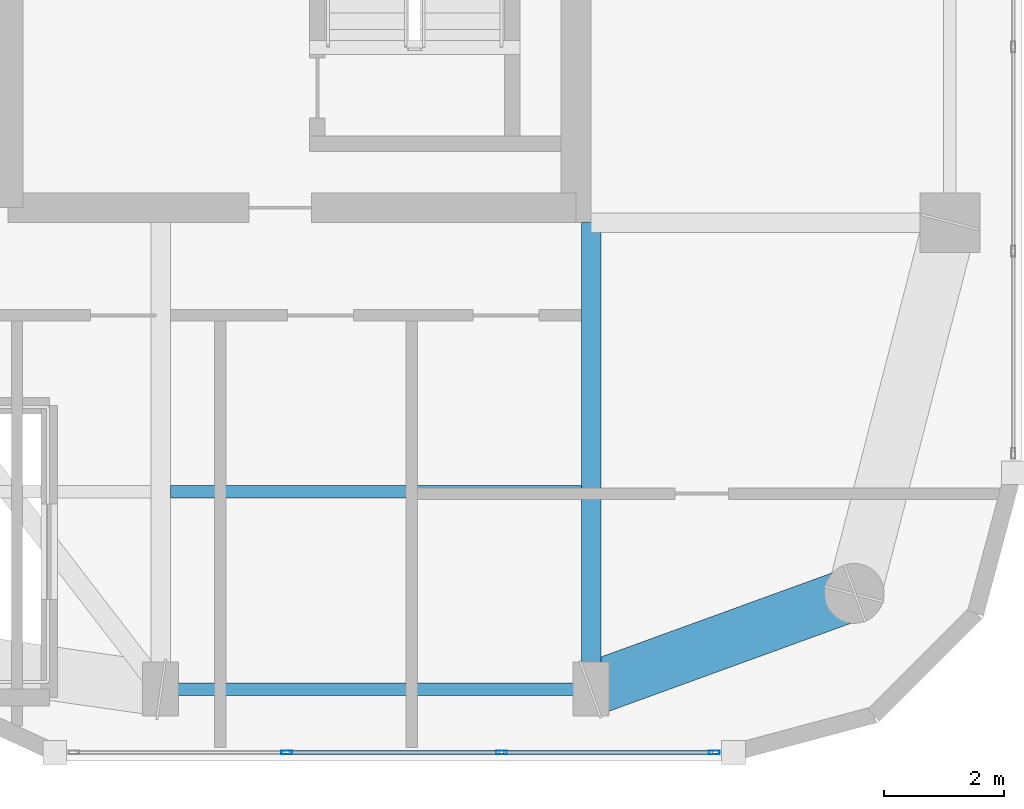
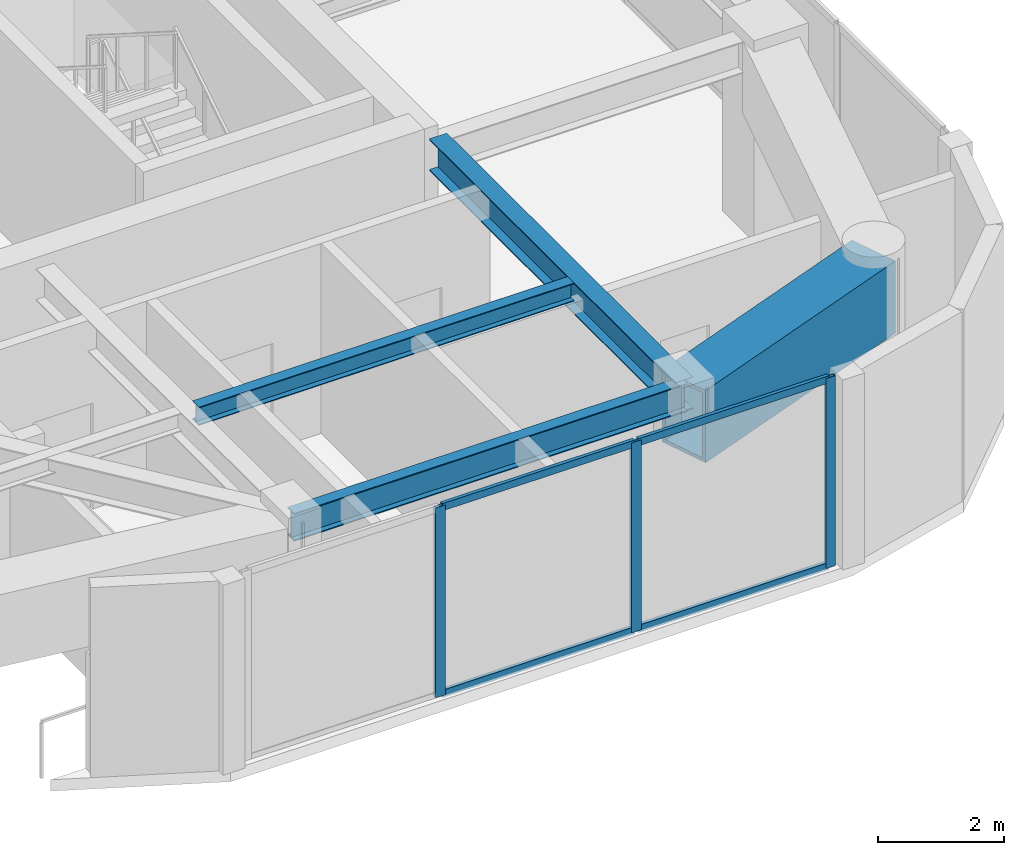
# One storey, part 4 of 16: 7 members, 4 beams, 1 element without a shape of its own.
"""IFC4 building model written with IfcOpenShell, lengths in metres."""

from ifc_helpers import new_model, si_unit, direction, frame, origin, origin_2d, place, context, subcontext, project, spatial, hollow_rectangle, i_section, extrude, material, layer, layer_set, material_profile, profile_set, type_object, element, aggregate, save


model = new_model("IFC4")

# Units and contexts
model_context = context("Model", 3, precision=1e-05, world=origin(), true_north=direction((0.0, 1.0)))
body_context = subcontext(model_context, "Body", "Model", "MODEL_VIEW")
ifc_project = project(units=[si_unit("LENGTHUNIT", "METRE"), si_unit("AREAUNIT", "SQUARE_METRE"), si_unit("VOLUMEUNIT", "CUBIC_METRE"), si_unit("PLANEANGLEUNIT", "RADIAN"), si_unit("MASSUNIT", "GRAM", prefix="KILO")], contexts=[model_context])

# Site, building, storey
site_placement = place(None, origin())
site = spatial("IfcSite", under=ifc_project, at=site_placement, CompositionType="ELEMENT")
building_placement = place(site_placement, origin())
building = spatial("IfcBuilding", under=site, at=building_placement, Name="Kiyonajd Concourse Tower", CompositionType="ELEMENT")
storey_placement = place(building_placement, frame((0.0, 0.0, 298.5)))
storey = spatial("IfcBuildingStorey", under=building, at=storey_placement, Name="L75", CompositionType="ELEMENT", Elevation=298.5)

# Beams
ifc_material_1 = material(Name="Steel ASTM A992 Grade 50", Category="steel")
ifc_material_profile_1 = material_profile(ifc_material_1, i_section(OverallWidth=0.205078125, OverallDepth=0.35400390625, WebThickness=0.009521484375, FlangeThickness=0.016845703125, at=origin_2d()), Name="W360X79")
ifc_profile_set_1 = profile_set([ifc_material_profile_1], Name="Steel ASTM A992 Grade 50")
beam_type_1 = type_object("IfcBeamType", Name="BM-JST-360", PredefinedType="JOIST", material=ifc_profile_set_1)
beam_1_placement = place(storey_placement, frame((56.56201171875, 23.10009765625, 3.5029296875), z_axis=(1.0, 0.0, 0.0), x_axis=(0.0, 1.0, 0.0)))
element("IfcBeam", 1, at=beam_1_placement, inside=storey, type_object=beam_type_1, Name="L75 Secondary Floor Joist", PredefinedType="JOIST", context=body_context, shape_type="SweptSolid", body=[
    extrude(i_section(OverallWidth=0.205078125, OverallDepth=0.35400390625, WebThickness=0.009521484375, FlangeThickness=0.016845703125, at=origin_2d()), origin(), (0.0, 0.0, 1.0), 6.8759765625),
])
ifc_material_profile_2 = material_profile(ifc_material_1, i_section(OverallWidth=0.2109375, OverallDepth=0.5390625, WebThickness=0.01171875, FlangeThickness=0.018798828125, at=origin_2d()), Name="W530X109")
ifc_profile_set_2 = profile_set([ifc_material_profile_2], Name="Steel ASTM A992 Grade 50")
beam_type_2 = type_object("IfcBeamType", Name="BM-SPAN-530B", PredefinedType="SPANDREL", material=ifc_profile_set_2)
beam_2_placement = place(storey_placement, frame((56.39990234375, 19.800048828125, 3.410400390625), z_axis=(1.0, 0.0, 0.0), x_axis=(0.0, 1.0, 0.0)))
element("IfcBeam", 2, at=beam_2_placement, inside=storey, type_object=beam_type_2, Name="L75 Perimeter Bundled Tube Spandrel", PredefinedType="SPANDREL", context=body_context, shape_type="SweptSolid", body=[
    extrude(i_section(OverallWidth=0.2109375, OverallDepth=0.5390625, WebThickness=0.01171875, FlangeThickness=0.018798828125, at=origin_2d()), origin(), (0.0, 0.0, 1.0), 7.2001953125),
])
ifc_material_profile_3 = material_profile(ifc_material_1, i_section(OverallWidth=0.323974609375, OverallDepth=0.611083984375, WebThickness=0.0126953125, FlangeThickness=0.01904296875, at=origin_2d()), Name="W610X155")
ifc_profile_set_3 = profile_set([ifc_material_profile_3], Name="Steel ASTM A992 Grade 50")
beam_type_3 = type_object("IfcBeamType", Name="BM-TWR-610B", PredefinedType="BEAM", material=ifc_profile_set_3)
beam_3_placement = place(storey_placement, frame((63.60009765625, 19.800048828125, 3.37451171875), z_axis=(0.0, 1.0, 0.0), x_axis=(-1.0, 0.0, 0.0)))
element("IfcBeam", 3, at=beam_3_placement, inside=storey, type_object=beam_type_3, Name="L75 South Lease Girder", PredefinedType="BEAM", context=body_context, shape_type="SweptSolid", body=[
    extrude(i_section(OverallWidth=0.323974609375, OverallDepth=0.611083984375, WebThickness=0.0126953125, FlangeThickness=0.01904296875, at=origin_2d()), origin(), (0.0, 0.0, 1.0), 7.800048828125),
])
ifc_material_2 = material(Name="Steel ASTM A572 Grade 50", Category="steel")
ifc_material_profile_4 = material_profile(ifc_material_2, hollow_rectangle(XDim=0.89990234375, YDim=1.39990234375, WallThickness=0.070068359375, at=origin_2d()), Name="BOX-1400x900x70")
ifc_profile_set_4 = profile_set([ifc_material_profile_4], Name="Steel ASTM A572 Grade 50")
beam_type_4 = type_object("IfcBeamType", Name="BM-XFER-1400", PredefinedType="BEAM", material=ifc_profile_set_4)
beam_4_placement = place(storey_placement, frame((63.60009765625, 19.800048828125, 2.97998046875), z_axis=(0.939801036019, 0.341722127901, 0.0), x_axis=(-0.341722127901, 0.939801036019, 0.0)))
element("IfcBeam", 4, at=beam_4_placement, inside=storey, type_object=beam_type_4, Name="L75 Perimeter Bundled Tube Spandrel", PredefinedType="BEAM", context=body_context, shape_type="SweptSolid", body=[
    extrude(hollow_rectangle(XDim=0.89990234375, YDim=1.39990234375, WallThickness=0.070068359375, at=origin_2d()), origin(), (0.0, 0.0, 1.0), 4.681640625),
])

# Curtain wall, members
ifc_material_3 = material(Name="Thermally Broken Anodised Aluminium", Category="aluminium")
ifc_layer = layer(ifc_material_3, 0.179931640625)
ifc_layer_set = layer_set([ifc_layer], Name="Thermally Broken Anodised Aluminium")
curtain_wall_type = type_object("IfcCurtainWallType", Name="CW-SYS-04", PredefinedType="NOTDEFINED", material=ifc_layer_set)
curtain_wall_placement = place(storey_placement, origin())
curtain_wall = element("IfcCurtainWall", 5, at=curtain_wall_placement, inside=storey, type_object=curtain_wall_type, Name="L75 Unitised Curtain Wall CW4", PredefinedType="NOTDEFINED")
ifc_material_profile_5 = material_profile(ifc_material_3, hollow_rectangle(XDim=0.06494140625, YDim=0.179931640625, WallThickness=0.00390625, at=origin_2d()), Name="MULL-65x180")
ifc_profile_set_5 = profile_set([ifc_material_profile_5], Name="Thermally Broken Anodised Aluminium")
member_type_1 = type_object("IfcMemberType", Name="MB-CW-MULL1", PredefinedType="MULLION", material=ifc_profile_set_5)
member_1_placement = place(storey_placement, frame((65.6591796875, 18.739990234375, 0.0), z_axis=(0.0, 0.0, 1.0), x_axis=(0.0, -1.0, 0.0)))
member_1 = element("IfcMember", 6, at=member_1_placement, type_object=member_type_1, Name="CW4 mullion 1", PredefinedType="MULLION", context=body_context, shape_type="SweptSolid", body=[
    extrude(hollow_rectangle(XDim=0.06494140625, YDim=0.179931640625, WallThickness=0.00390625, at=origin_2d()), origin(), (0.0, 0.0, 1.0), 3.679931640625),
])
member_2_placement = place(storey_placement, frame((62.101318359375, 18.739990234375, 0.0), z_axis=(0.0, 0.0, 1.0), x_axis=(0.0, -1.0, 0.0)))
member_2 = element("IfcMember", 7, at=member_2_placement, type_object=member_type_1, Name="CW4 mullion 2", PredefinedType="MULLION", context=body_context, shape_type="SweptSolid", body=[
    extrude(hollow_rectangle(XDim=0.06494140625, YDim=0.179931640625, WallThickness=0.00390625, at=origin_2d()), origin(), (0.0, 0.0, 1.0), 3.679931640625),
])
member_3_placement = place(storey_placement, frame((58.510986328125, 18.739990234375, 0.0), z_axis=(0.0, 0.0, 1.0), x_axis=(0.0, -1.0, 0.0)))
member_3 = element("IfcMember", 8, at=member_3_placement, type_object=member_type_1, Name="CW4 mullion 3", PredefinedType="MULLION", context=body_context, shape_type="SweptSolid", body=[
    extrude(hollow_rectangle(XDim=0.06494140625, YDim=0.179931640625, WallThickness=0.00390625, at=origin_2d()), origin(), (0.0, 0.0, 1.0), 3.679931640625),
])
ifc_material_profile_6 = material_profile(ifc_material_3, hollow_rectangle(XDim=0.06494140625, YDim=0.139892578125, WallThickness=0.00390625, at=origin_2d()), Name="TRAN-65x140")
ifc_profile_set_6 = profile_set([ifc_material_profile_6], Name="Thermally Broken Anodised Aluminium")
member_type_2 = type_object("IfcMemberType", Name="MB-CW-TRAN1", PredefinedType="USERDEFINED", material=ifc_profile_set_6)
member_4_placement = place(storey_placement, frame((65.626708984375, 18.739990234375, 0.032470703125), z_axis=(-1.0, 0.0, 0.0), x_axis=(0.0, -1.0, 0.0)))
member_4 = element("IfcMember", 9, at=member_4_placement, type_object=member_type_2, Name="CW4 transom 1.1", ObjectType="TRANSOM", PredefinedType="USERDEFINED", context=body_context, shape_type="SweptSolid", body=[
    extrude(hollow_rectangle(XDim=0.06494140625, YDim=0.139892578125, WallThickness=0.00390625, at=origin_2d()), origin(), (0.0, 0.0, 1.0), 3.492919921875),
])
member_5_placement = place(storey_placement, frame((65.626708984375, 18.739990234375, 3.6474609375), z_axis=(-1.0, 0.0, 0.0), x_axis=(0.0, -1.0, 0.0)))
member_5 = element("IfcMember", 10, at=member_5_placement, type_object=member_type_2, Name="CW4 transom 1.2", ObjectType="TRANSOM", PredefinedType="USERDEFINED", context=body_context, shape_type="SweptSolid", body=[
    extrude(hollow_rectangle(XDim=0.06494140625, YDim=0.139892578125, WallThickness=0.00390625, at=origin_2d()), origin(), (0.0, 0.0, 1.0), 3.492919921875),
])
member_6_placement = place(storey_placement, frame((62.06884765625, 18.739990234375, 0.032470703125), z_axis=(-1.0, 0.0, 0.0), x_axis=(0.0, -1.0, 0.0)))
member_6 = element("IfcMember", 11, at=member_6_placement, type_object=member_type_2, Name="CW4 transom 2.1", ObjectType="TRANSOM", PredefinedType="USERDEFINED", context=body_context, shape_type="SweptSolid", body=[
    extrude(hollow_rectangle(XDim=0.06494140625, YDim=0.139892578125, WallThickness=0.00390625, at=origin_2d()), origin(), (0.0, 0.0, 1.0), 3.525390625),
])
member_7_placement = place(storey_placement, frame((62.06884765625, 18.739990234375, 3.6474609375), z_axis=(-1.0, 0.0, 0.0), x_axis=(0.0, -1.0, 0.0)))
member_7 = element("IfcMember", 12, at=member_7_placement, type_object=member_type_2, Name="CW4 transom 2.2", ObjectType="TRANSOM", PredefinedType="USERDEFINED", context=body_context, shape_type="SweptSolid", body=[
    extrude(hollow_rectangle(XDim=0.06494140625, YDim=0.139892578125, WallThickness=0.00390625, at=origin_2d()), origin(), (0.0, 0.0, 1.0), 3.525390625),
])
aggregate(curtain_wall, [member_1, member_2, member_3, member_4, member_5, member_6, member_7])

save(model, "model.ifc")
